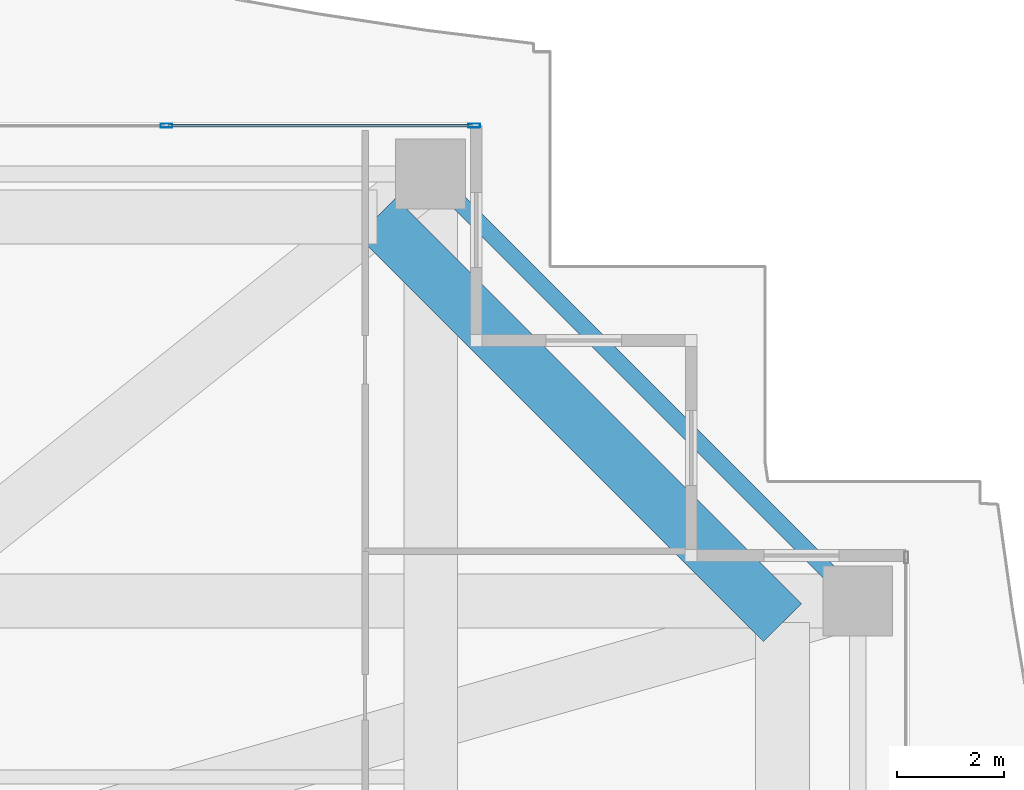
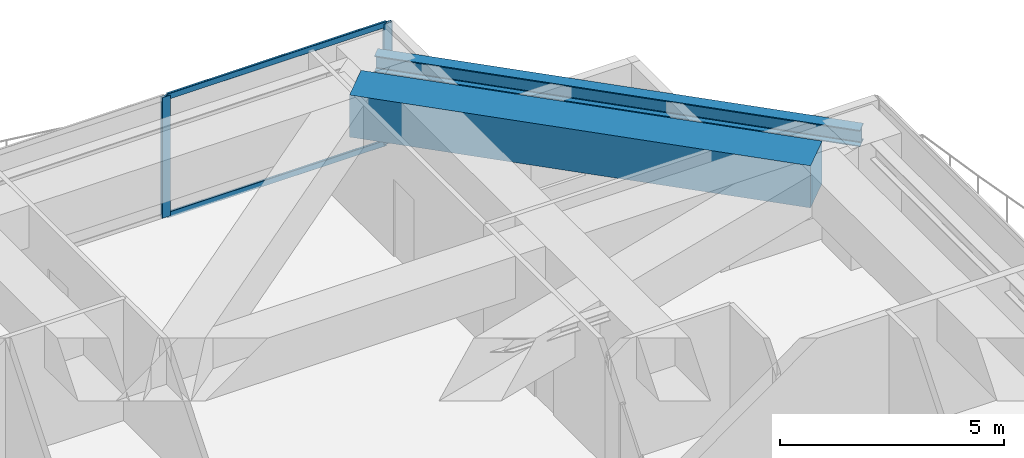
# One storey, part 20 of 32: 4 members, 2 beams, 1 element without a shape of its own.
"""IFC4 building model written with IfcOpenShell, lengths in metres."""

from ifc_helpers import new_model, si_unit, direction, frame, origin, origin_2d, place, context, subcontext, project, spatial, rectangle, hollow_rectangle, i_section, extrude, source, transform, mapped, material, layer, layer_set, material_profile, profile_set, type_object, element, aggregate, save


model = new_model("IFC4")

# Units and contexts
model_context = context("Model", 3, precision=1e-05, world=origin(), true_north=direction((0.0, 1.0)))
body_context = subcontext(model_context, "Body", "Model", "MODEL_VIEW")
ifc_project = project(units=[si_unit("LENGTHUNIT", "METRE"), si_unit("AREAUNIT", "SQUARE_METRE"), si_unit("VOLUMEUNIT", "CUBIC_METRE"), si_unit("PLANEANGLEUNIT", "RADIAN"), si_unit("MASSUNIT", "GRAM", prefix="KILO")], contexts=[model_context])

# Site, building, storey
site_placement = place(None, origin())
site = spatial("IfcSite", under=ifc_project, at=site_placement, CompositionType="ELEMENT")
building_placement = place(site_placement, origin())
building = spatial("IfcBuilding", under=site, at=building_placement, Name="Serunith Strait Residences", CompositionType="ELEMENT")
storey_placement = place(building_placement, frame((0.0, 0.0, 195.14990234375)))
storey = spatial("IfcBuildingStorey", under=building, at=storey_placement, Name="L49", CompositionType="ELEMENT", Elevation=195.14990234375)

# Beams
ifc_material_1 = material(Name="Steel S355J2", Category="steel")
ifc_material_profile_1 = material_profile(ifc_material_1, i_section(OverallWidth=0.300048828125, OverallDepth=0.449951171875, WebThickness=0.013916015625, FlangeThickness=0.02587890625, FilletRadius=0.027099609375, at=origin_2d()), Name="HEB 450")
ifc_profile_set_1 = profile_set([ifc_material_profile_1], Name="Steel S355J2")
beam_type_1 = type_object("IfcBeamType", Name="BM-HEB450", PredefinedType="BEAM", material=ifc_profile_set_1)
shared_shape_1 = source(origin(), body_context, "Body", "SweptSolid", [
    extrude(i_section(OverallWidth=0.300048828125, OverallDepth=0.449951171875, WebThickness=0.013916015625, FlangeThickness=0.02587890625, FilletRadius=0.027099609375, at=origin_2d()), origin(), (0.0, 0.0, 1.0), 11.2431640625),
])
beam_1_placement = place(storey_placement, frame((56.10009765625, 40.14990234375, 3.08203125), z_axis=(-0.707106781187, 0.707106781187, 0.0), x_axis=(-0.707106781187, -0.707106781187, 0.0)))
element("IfcBeam", 1, at=beam_1_placement, inside=storey, type_object=beam_type_1, Name="L49 Perimeter Ring Beam 08", PredefinedType="BEAM", context=body_context, shape_type="MappedRepresentation", body=[
    mapped(shared_shape_1, transform((0.0, 0.0, 0.0), scale=1.0)),
])
ifc_material_2 = material(Name="Concrete C80/95", Category="concrete")
ifc_material_profile_2 = material_profile(ifc_material_2, rectangle(XDim=1.0, YDim=1.14990234375, at=origin_2d()), Name="RC 1000x1150")
ifc_profile_set_2 = profile_set([ifc_material_profile_2], Name="Concrete C80/95")
beam_type_2 = type_object("IfcBeamType", Name="BM-XFER-1000x1150", PredefinedType="BEAM", material=ifc_profile_set_2)
shared_shape_2 = source(origin(), body_context, "Body", "SweptSolid", [
    extrude(rectangle(XDim=1.0, YDim=1.14990234375, at=origin_2d()), origin(), (0.0, 0.0, 1.0), 10.677490234375),
])
beam_2_placement = place(storey_placement, frame((54.699951171875, 39.75, 2.735107421875), z_axis=(-0.707106781187, 0.707106781187, 0.0), x_axis=(-0.707106781187, -0.707106781187, 0.0)))
element("IfcBeam", 2, at=beam_2_placement, inside=storey, type_object=beam_type_2, Name="L49 Flare Upper Ring Transfer Girder 08", PredefinedType="BEAM", context=body_context, shape_type="MappedRepresentation", body=[
    mapped(shared_shape_2, transform((0.0, 0.0, 0.0), scale=1.0)),
])

# Curtain wall, members
ifc_material_3 = material(Name="Pale-Silver PVDF Aluminium", Category="aluminium")
ifc_layer = layer(ifc_material_3, 0.199951171875, Name="Pale-Silver PVDF Aluminium")
ifc_layer_set = layer_set([ifc_layer], Name="Pale-Silver PVDF Aluminium")
curtain_wall_type = type_object("IfcCurtainWallType", Name="CW-SYS3", PredefinedType="NOTDEFINED", material=ifc_layer_set)
curtain_wall_placement = place(storey_placement, origin())
curtain_wall = element("IfcCurtainWall", 3, at=curtain_wall_placement, inside=storey, type_object=curtain_wall_type, Name="L49 N Unitised Fritted Curtain Wall", PredefinedType="NOTDEFINED")
ifc_material_profile_3 = material_profile(ifc_material_3, hollow_rectangle(XDim=0.074951171875, YDim=0.219970703125, WallThickness=0.00390625, InnerFilletRadius=0.006103515625, OuterFilletRadius=0.010009765625, at=origin_2d()), Name="ALU 220x75x4")
ifc_profile_set_3 = profile_set([ifc_material_profile_3], Name="Pale-Silver PVDF Aluminium")
member_type_1 = type_object("IfcMemberType", Name="CW-SYS3-MULL", PredefinedType="MULLION", material=ifc_profile_set_3)
shared_shape_3 = source(origin(), body_context, "Body", "SweptSolid", [
    extrude(hollow_rectangle(XDim=0.074951171875, YDim=0.219970703125, WallThickness=0.00390625, InnerFilletRadius=0.006103515625, OuterFilletRadius=0.010009765625, at=origin_2d()), origin(), (0.0, 0.0, 1.0), 3.295166015625),
])
member_1_placement = place(storey_placement, frame((48.96240234375, 49.0, 0.0), z_axis=(0.0, 0.0, 1.0), x_axis=(0.0, -1.0, 0.0)))
member_1 = element("IfcMember", 4, at=member_1_placement, type_object=member_type_1, Name="CW-3 mullion 1", PredefinedType="MULLION", context=body_context, shape_type="MappedRepresentation", body=[
    mapped(shared_shape_3, transform((0.0, 0.0, 0.0), scale=1.0)),
])
member_2_placement = place(storey_placement, frame((43.2333984375, 49.0, 0.0), z_axis=(0.0, 0.0, 1.0), x_axis=(0.0, -1.0, 0.0)))
member_2 = element("IfcMember", 5, at=member_2_placement, type_object=member_type_1, Name="CW-3 mullion 2", PredefinedType="MULLION", context=body_context, shape_type="MappedRepresentation", body=[
    mapped(shared_shape_3, transform((0.0, 0.0, 0.0), scale=1.0)),
])
ifc_material_profile_4 = material_profile(ifc_material_3, hollow_rectangle(XDim=0.06005859375, YDim=0.159912109375, WallThickness=0.00341796875, InnerFilletRadius=0.00537109375, OuterFilletRadius=0.0087890625, at=origin_2d()), Name="ALU 160x60x3.5")
ifc_profile_set_4 = profile_set([ifc_material_profile_4], Name="Pale-Silver PVDF Aluminium")
member_type_2 = type_object("IfcMemberType", Name="CW-SYS3-TRAN", PredefinedType="USERDEFINED", material=ifc_profile_set_4)
shared_shape_4 = source(origin(), body_context, "Body", "SweptSolid", [
    extrude(hollow_rectangle(XDim=0.06005859375, YDim=0.159912109375, WallThickness=0.00341796875, InnerFilletRadius=0.00537109375, OuterFilletRadius=0.0087890625, at=origin_2d()), origin(), (0.0, 0.0, 1.0), 5.654296875),
])
member_3_placement = place(storey_placement, frame((48.925048828125, 49.0, 0.030029296875), z_axis=(-1.0, 0.0, 0.0), x_axis=(0.0, -1.0, 0.0)))
member_3 = element("IfcMember", 6, at=member_3_placement, type_object=member_type_2, Name="CW-3 transom 1.1", ObjectType="TRANSOM", PredefinedType="USERDEFINED", context=body_context, shape_type="MappedRepresentation", body=[
    mapped(shared_shape_4, transform((0.0, 0.0, 0.0), scale=1.0)),
])
member_4_placement = place(storey_placement, frame((48.925048828125, 49.0, 3.26513671875), z_axis=(-1.0, 0.0, 0.0), x_axis=(0.0, -1.0, 0.0)))
member_4 = element("IfcMember", 7, at=member_4_placement, type_object=member_type_2, Name="CW-3 transom 1.2", ObjectType="TRANSOM", PredefinedType="USERDEFINED", context=body_context, shape_type="MappedRepresentation", body=[
    mapped(shared_shape_4, transform((0.0, 0.0, 0.0), scale=1.0)),
])
aggregate(curtain_wall, [member_1, member_2, member_3, member_4])

save(model, "model.ifc")
